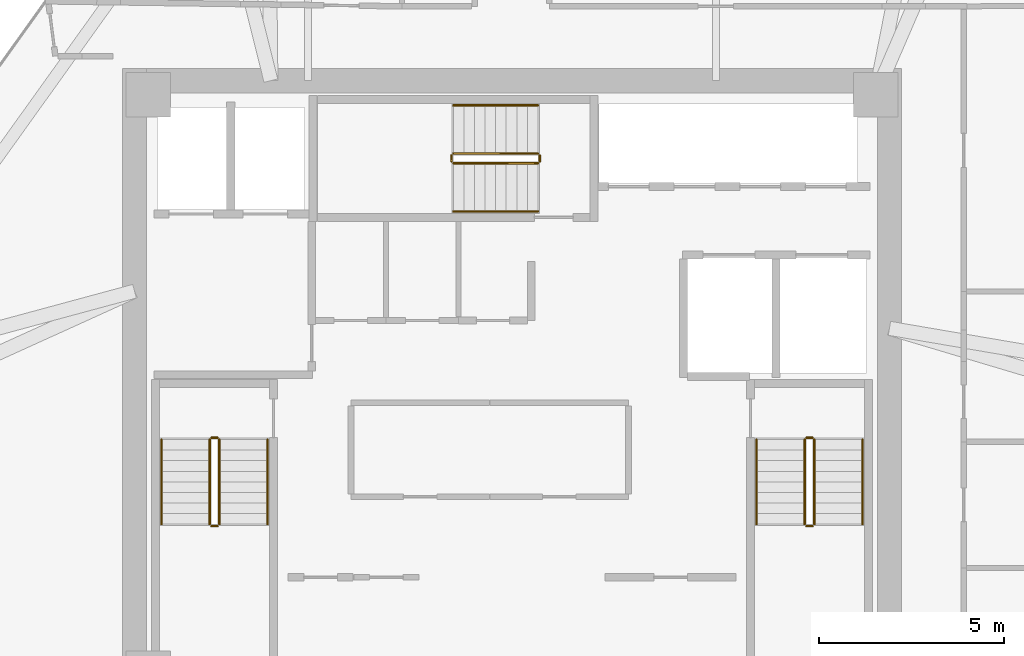
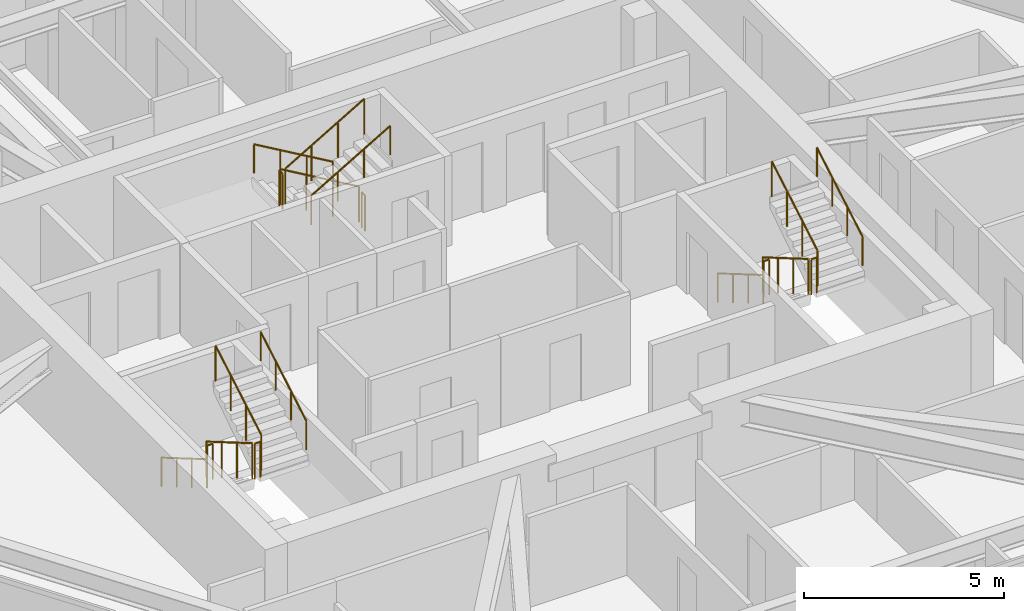
# One storey, part 12 of 12: 18 railings.
"""IFC4 building model written with IfcOpenShell, lengths in metres."""

from ifc_helpers import new_model, si_unit, direction, frame, origin, origin_2d, place, context, subcontext, project, spatial, circle, extrude, material, type_object, element, save


model = new_model("IFC4")

# Units and contexts
model_context = context("Model", 3, precision=1e-05, world=origin(), true_north=direction((0.0, 1.0)))
body_context = subcontext(model_context, "Body", "Model", "MODEL_VIEW")
ifc_project = project(units=[si_unit("LENGTHUNIT", "METRE"), si_unit("AREAUNIT", "SQUARE_METRE"), si_unit("VOLUMEUNIT", "CUBIC_METRE"), si_unit("PLANEANGLEUNIT", "RADIAN"), si_unit("MASSUNIT", "GRAM", prefix="KILO")], contexts=[model_context])

# Site, building, storey
site_placement = place(None, origin())
site = spatial("IfcSite", under=ifc_project, at=site_placement, CompositionType="ELEMENT")
building_placement = place(site_placement, origin())
building = spatial("IfcBuilding", under=site, at=building_placement, Name="Durnholm Broadcast Tower", CompositionType="ELEMENT")
storey_placement = place(building_placement, frame((0.0, 0.0, 203.199951171875)))
storey = spatial("IfcBuildingStorey", under=building, at=storey_placement, Name="L56", CompositionType="ELEMENT", Elevation=203.199951171875)

# Railings
ifc_material_1 = material(Name="Painted Tubular Steel Stair Guardrail", Category="steel")
railing_type_1 = type_object("IfcRailingType", Name="RAIL-ST-GRD", PredefinedType="GUARDRAIL", material=ifc_material_1)
railing_1_placement = place(storey_placement, frame((-8.14990234375, -1.5, 0.166748046875)))
element("IfcRailing", 1, at=railing_1_placement, inside=storey, type_object=railing_type_1, Name="L56 ST-1 stair guard 1", PredefinedType="GUARDRAIL", context=body_context, shape_type="SweptSolid", body=[
    extrude(circle(Radius=0.02392578125, at=origin_2d()), frame((0.0, 0.0, 1.076171875), z_axis=(0.0, -0.863245362884, 0.504784551527), x_axis=(1.0, 0.0, 0.0)), (0.0, 0.0, 1.0), 2.64111328125),
    extrude(circle(Radius=0.02099609375, at=origin_2d()), origin(), (0.0, 0.0, 1.0), 1.052001953125),
    extrude(circle(Radius=0.02099609375, at=origin_2d()), frame((0.0, -0.760009765625, 0.4443359375)), (0.0, 0.0, 1.0), 1.052001953125),
    extrude(circle(Radius=0.02099609375, at=origin_2d()), frame((0.0, -1.52001953125, 0.888916015625)), (0.0, 0.0, 1.0), 1.052001953125),
    extrude(circle(Radius=0.02099609375, at=origin_2d()), frame((0.0, -2.280029296875, 1.333251953125)), (0.0, 0.0, 1.0), 1.052001953125),
])
railing_2_placement = place(storey_placement, frame((-8.10009765625, -3.830078125, 1.5)))
element("IfcRailing", 2, at=railing_2_placement, inside=storey, type_object=railing_type_1, Name="L56 ST-1 stair guard 2", PredefinedType="GUARDRAIL", context=body_context, shape_type="SweptSolid", body=[
    extrude(circle(Radius=0.02392578125, at=origin_2d()), frame((0.0, 0.0, 1.076171875), z_axis=(1.0, 0.0, 0.0), x_axis=(0.0, 1.0, 0.0)), (0.0, 0.0, 1.0), 0.16015625),
    extrude(circle(Radius=0.02099609375, at=origin_2d()), origin(), (0.0, 0.0, 1.0), 1.052001953125),
    extrude(circle(Radius=0.02099609375, at=origin_2d()), frame((0.16015625, 0.0, 0.0)), (0.0, 0.0, 1.0), 1.052001953125),
])
railing_3_placement = place(storey_placement, frame((-7.889892578125, -3.780029296875, 1.666748046875)))
element("IfcRailing", 3, at=railing_3_placement, inside=storey, type_object=railing_type_1, Name="L56 ST-1 stair guard 3", PredefinedType="GUARDRAIL", context=body_context, shape_type="SweptSolid", body=[
    extrude(circle(Radius=0.02392578125, at=origin_2d()), frame((0.0, 0.0, 1.076171875), z_axis=(0.0, 0.863245362884, 0.504784551527), x_axis=(-1.0, 0.0, 0.0)), (0.0, 0.0, 1.0), 2.64111328125),
    extrude(circle(Radius=0.02099609375, at=origin_2d()), origin(), (0.0, 0.0, 1.0), 1.052001953125),
    extrude(circle(Radius=0.02099609375, at=origin_2d()), frame((0.0, 0.760009765625, 0.4443359375)), (0.0, 0.0, 1.0), 1.052001953125),
    extrude(circle(Radius=0.02099609375, at=origin_2d()), frame((0.0, 1.52001953125, 0.888916015625)), (0.0, 0.0, 1.0), 1.052001953125),
    extrude(circle(Radius=0.02099609375, at=origin_2d()), frame((0.0, 2.280029296875, 1.333251953125)), (0.0, 0.0, 1.0), 1.052001953125),
])
railing_4_placement = place(storey_placement, frame((-8.10009765625, -1.449951171875, 0.0)))
element("IfcRailing", 4, at=railing_4_placement, inside=storey, type_object=railing_type_1, Name="L56 ST-1 stair guard 4", PredefinedType="GUARDRAIL", context=body_context, shape_type="SweptSolid", body=[
    extrude(circle(Radius=0.02392578125, at=origin_2d()), frame((0.0, 0.0, 1.076171875), z_axis=(1.0, 0.0, 0.0), x_axis=(0.0, 1.0, 0.0)), (0.0, 0.0, 1.0), 0.16015625),
    extrude(circle(Radius=0.02099609375, at=origin_2d()), origin(), (0.0, 0.0, 1.0), 1.052001953125),
    extrude(circle(Radius=0.02099609375, at=origin_2d()), frame((0.16015625, 0.0, 0.0)), (0.0, 0.0, 1.0), 1.052001953125),
])
railing_5_placement = place(storey_placement, frame((7.889892578125, -1.5, 0.166748046875)))
element("IfcRailing", 5, at=railing_5_placement, inside=storey, type_object=railing_type_1, Name="L56 ST-2 stair guard 1", PredefinedType="GUARDRAIL", context=body_context, shape_type="SweptSolid", body=[
    extrude(circle(Radius=0.02392578125, at=origin_2d()), frame((0.0, 0.0, 1.076171875), z_axis=(0.0, -0.863245362884, 0.504784551527), x_axis=(1.0, 0.0, 0.0)), (0.0, 0.0, 1.0), 2.64111328125),
    extrude(circle(Radius=0.02099609375, at=origin_2d()), origin(), (0.0, 0.0, 1.0), 1.052001953125),
    extrude(circle(Radius=0.02099609375, at=origin_2d()), frame((0.0, -0.760009765625, 0.4443359375)), (0.0, 0.0, 1.0), 1.052001953125),
    extrude(circle(Radius=0.02099609375, at=origin_2d()), frame((0.0, -1.52001953125, 0.888916015625)), (0.0, 0.0, 1.0), 1.052001953125),
    extrude(circle(Radius=0.02099609375, at=origin_2d()), frame((0.0, -2.280029296875, 1.333251953125)), (0.0, 0.0, 1.0), 1.052001953125),
])
railing_6_placement = place(storey_placement, frame((7.93994140625, -3.830078125, 1.5)))
element("IfcRailing", 6, at=railing_6_placement, inside=storey, type_object=railing_type_1, Name="L56 ST-2 stair guard 2", PredefinedType="GUARDRAIL", context=body_context, shape_type="SweptSolid", body=[
    extrude(circle(Radius=0.02392578125, at=origin_2d()), frame((0.0, 0.0, 1.076171875), z_axis=(1.0, 0.0, 0.0), x_axis=(0.0, 1.0, 0.0)), (0.0, 0.0, 1.0), 0.16015625),
    extrude(circle(Radius=0.02099609375, at=origin_2d()), origin(), (0.0, 0.0, 1.0), 1.052001953125),
    extrude(circle(Radius=0.02099609375, at=origin_2d()), frame((0.16015625, 0.0, 0.0)), (0.0, 0.0, 1.0), 1.052001953125),
])
railing_7_placement = place(storey_placement, frame((8.14990234375, -3.780029296875, 1.666748046875)))
element("IfcRailing", 7, at=railing_7_placement, inside=storey, type_object=railing_type_1, Name="L56 ST-2 stair guard 3", PredefinedType="GUARDRAIL", context=body_context, shape_type="SweptSolid", body=[
    extrude(circle(Radius=0.02392578125, at=origin_2d()), frame((0.0, 0.0, 1.076171875), z_axis=(0.0, 0.863245362884, 0.504784551527), x_axis=(-1.0, 0.0, 0.0)), (0.0, 0.0, 1.0), 2.64111328125),
    extrude(circle(Radius=0.02099609375, at=origin_2d()), origin(), (0.0, 0.0, 1.0), 1.052001953125),
    extrude(circle(Radius=0.02099609375, at=origin_2d()), frame((0.0, 0.760009765625, 0.4443359375)), (0.0, 0.0, 1.0), 1.052001953125),
    extrude(circle(Radius=0.02099609375, at=origin_2d()), frame((0.0, 1.52001953125, 0.888916015625)), (0.0, 0.0, 1.0), 1.052001953125),
    extrude(circle(Radius=0.02099609375, at=origin_2d()), frame((0.0, 2.280029296875, 1.333251953125)), (0.0, 0.0, 1.0), 1.052001953125),
])
railing_8_placement = place(storey_placement, frame((7.93994140625, -1.449951171875, 0.0)))
element("IfcRailing", 8, at=railing_8_placement, inside=storey, type_object=railing_type_1, Name="L56 ST-2 stair guard 4", PredefinedType="GUARDRAIL", context=body_context, shape_type="SweptSolid", body=[
    extrude(circle(Radius=0.02392578125, at=origin_2d()), frame((0.0, 0.0, 1.076171875), z_axis=(1.0, 0.0, 0.0), x_axis=(0.0, 1.0, 0.0)), (0.0, 0.0, 1.0), 0.16015625),
    extrude(circle(Radius=0.02099609375, at=origin_2d()), origin(), (0.0, 0.0, 1.0), 1.052001953125),
    extrude(circle(Radius=0.02099609375, at=origin_2d()), frame((0.16015625, 0.0, 0.0)), (0.0, 0.0, 1.0), 1.052001953125),
])
railing_9_placement = place(storey_placement, frame((0.699951171875, 6.2099609375, 0.166748046875)))
element("IfcRailing", 9, at=railing_9_placement, inside=storey, type_object=railing_type_1, Name="L56 ST-3 stair guard 1", PredefinedType="GUARDRAIL", context=body_context, shape_type="SweptSolid", body=[
    extrude(circle(Radius=0.02392578125, at=origin_2d()), frame((0.0, 0.0, 1.076171875), z_axis=(-0.863245362884, 0.0, 0.504784551527), x_axis=(0.0, -1.0, 0.0)), (0.0, 0.0, 1.0), 2.64111328125),
    extrude(circle(Radius=0.02099609375, at=origin_2d()), origin(), (0.0, 0.0, 1.0), 1.052001953125),
    extrude(circle(Radius=0.02099609375, at=origin_2d()), frame((-0.760009765625, 0.0, 0.4443359375)), (0.0, 0.0, 1.0), 1.052001953125),
    extrude(circle(Radius=0.02099609375, at=origin_2d()), frame((-1.52001953125, 0.0, 0.888916015625)), (0.0, 0.0, 1.0), 1.052001953125),
    extrude(circle(Radius=0.02099609375, at=origin_2d()), frame((-2.280029296875, 0.0, 1.333251953125)), (0.0, 0.0, 1.0), 1.052001953125),
])
railing_10_placement = place(storey_placement, frame((-1.6298828125, 6.159912109375, 1.5)))
element("IfcRailing", 10, at=railing_10_placement, inside=storey, type_object=railing_type_1, Name="L56 ST-3 stair guard 2", PredefinedType="GUARDRAIL", context=body_context, shape_type="SweptSolid", body=[
    extrude(circle(Radius=0.02392578125, at=origin_2d()), frame((0.0, 0.0, 1.076171875), z_axis=(0.0, -1.0, 0.0), x_axis=(1.0, 0.0, 0.0)), (0.0, 0.0, 1.0), 0.159912109375),
    extrude(circle(Radius=0.02099609375, at=origin_2d()), origin(), (0.0, 0.0, 1.0), 1.052001953125),
    extrude(circle(Radius=0.02099609375, at=origin_2d()), frame((0.0, -0.159912109375, 0.0)), (0.0, 0.0, 1.0), 1.052001953125),
])
railing_11_placement = place(storey_placement, frame((-1.580078125, 5.949951171875, 1.666748046875)))
element("IfcRailing", 11, at=railing_11_placement, inside=storey, type_object=railing_type_1, Name="L56 ST-3 stair guard 3", PredefinedType="GUARDRAIL", context=body_context, shape_type="SweptSolid", body=[
    extrude(circle(Radius=0.02392578125, at=origin_2d()), frame((0.0, 0.0, 1.076171875), z_axis=(0.863245362884, 0.0, 0.504784551527), x_axis=(0.0, 1.0, 0.0)), (0.0, 0.0, 1.0), 2.64111328125),
    extrude(circle(Radius=0.02099609375, at=origin_2d()), origin(), (0.0, 0.0, 1.0), 1.052001953125),
    extrude(circle(Radius=0.02099609375, at=origin_2d()), frame((0.760009765625, 0.0, 0.4443359375)), (0.0, 0.0, 1.0), 1.052001953125),
    extrude(circle(Radius=0.02099609375, at=origin_2d()), frame((1.52001953125, 0.0, 0.888916015625)), (0.0, 0.0, 1.0), 1.052001953125),
    extrude(circle(Radius=0.02099609375, at=origin_2d()), frame((2.280029296875, 0.0, 1.333251953125)), (0.0, 0.0, 1.0), 1.052001953125),
])
railing_12_placement = place(storey_placement, frame((0.75, 6.159912109375, 0.0)))
element("IfcRailing", 12, at=railing_12_placement, inside=storey, type_object=railing_type_1, Name="L56 ST-3 stair guard 4", PredefinedType="GUARDRAIL", context=body_context, shape_type="SweptSolid", body=[
    extrude(circle(Radius=0.02392578125, at=origin_2d()), frame((0.0, 0.0, 1.076171875), z_axis=(0.0, -1.0, 0.0), x_axis=(1.0, 0.0, 0.0)), (0.0, 0.0, 1.0), 0.159912109375),
    extrude(circle(Radius=0.02099609375, at=origin_2d()), origin(), (0.0, 0.0, 1.0), 1.052001953125),
    extrude(circle(Radius=0.02099609375, at=origin_2d()), frame((0.0, -0.159912109375, 0.0)), (0.0, 0.0, 1.0), 1.052001953125),
])
ifc_material_2 = material(Name="Brushed Stainless Steel Handrail", Category="steel")
railing_type_2 = type_object("IfcRailingType", Name="RAIL-ST-HND", PredefinedType="HANDRAIL", material=ifc_material_2)
railing_13_placement = place(storey_placement, frame((-9.449951171875, -1.5, 0.33349609375)))
element("IfcRailing", 13, at=railing_13_placement, inside=storey, type_object=railing_type_2, Name="L56 ST-1 stair handrail 1", PredefinedType="HANDRAIL", context=body_context, shape_type="SweptSolid", body=[
    extrude(circle(Radius=0.02392578125, at=origin_2d()), frame((0.0, 0.0, 0.8759765625), z_axis=(0.0, -0.863245362884, 0.504784551527), x_axis=(1.0, 0.0, 0.0)), (0.0, 0.0, 1.0), 2.64111328125),
    extrude(circle(Radius=0.02099609375, at=origin_2d()), origin(), (0.0, 0.0, 1.0), 0.851806640625),
    extrude(circle(Radius=0.02099609375, at=origin_2d()), frame((0.0, -0.760009765625, 0.4443359375)), (0.0, 0.0, 1.0), 0.851806640625),
    extrude(circle(Radius=0.02099609375, at=origin_2d()), frame((0.0, -1.52001953125, 0.888916015625)), (0.0, 0.0, 1.0), 0.851806640625),
    extrude(circle(Radius=0.02099609375, at=origin_2d()), frame((0.0, -2.280029296875, 1.333251953125)), (0.0, 0.0, 1.0), 0.851806640625),
])
railing_14_placement = place(storey_placement, frame((-6.590087890625, -3.780029296875, 1.83349609375)))
element("IfcRailing", 14, at=railing_14_placement, inside=storey, type_object=railing_type_2, Name="L56 ST-1 stair handrail 2", PredefinedType="HANDRAIL", context=body_context, shape_type="SweptSolid", body=[
    extrude(circle(Radius=0.02392578125, at=origin_2d()), frame((0.0, 0.0, 0.8759765625), z_axis=(0.0, 0.863245362884, 0.504784551527), x_axis=(-1.0, 0.0, 0.0)), (0.0, 0.0, 1.0), 2.64111328125),
    extrude(circle(Radius=0.02099609375, at=origin_2d()), origin(), (0.0, 0.0, 1.0), 0.851806640625),
    extrude(circle(Radius=0.02099609375, at=origin_2d()), frame((0.0, 0.760009765625, 0.4443359375)), (0.0, 0.0, 1.0), 0.851806640625),
    extrude(circle(Radius=0.02099609375, at=origin_2d()), frame((0.0, 1.52001953125, 0.888916015625)), (0.0, 0.0, 1.0), 0.851806640625),
    extrude(circle(Radius=0.02099609375, at=origin_2d()), frame((0.0, 2.280029296875, 1.333251953125)), (0.0, 0.0, 1.0), 0.851806640625),
])
railing_15_placement = place(storey_placement, frame((6.590087890625, -1.5, 0.33349609375)))
element("IfcRailing", 15, at=railing_15_placement, inside=storey, type_object=railing_type_2, Name="L56 ST-2 stair handrail 1", PredefinedType="HANDRAIL", context=body_context, shape_type="SweptSolid", body=[
    extrude(circle(Radius=0.02392578125, at=origin_2d()), frame((0.0, 0.0, 0.8759765625), z_axis=(0.0, -0.863245362884, 0.504784551527), x_axis=(1.0, 0.0, 0.0)), (0.0, 0.0, 1.0), 2.64111328125),
    extrude(circle(Radius=0.02099609375, at=origin_2d()), origin(), (0.0, 0.0, 1.0), 0.851806640625),
    extrude(circle(Radius=0.02099609375, at=origin_2d()), frame((0.0, -0.760009765625, 0.4443359375)), (0.0, 0.0, 1.0), 0.851806640625),
    extrude(circle(Radius=0.02099609375, at=origin_2d()), frame((0.0, -1.52001953125, 0.888916015625)), (0.0, 0.0, 1.0), 0.851806640625),
    extrude(circle(Radius=0.02099609375, at=origin_2d()), frame((0.0, -2.280029296875, 1.333251953125)), (0.0, 0.0, 1.0), 0.851806640625),
])
railing_16_placement = place(storey_placement, frame((9.449951171875, -3.780029296875, 1.83349609375)))
element("IfcRailing", 16, at=railing_16_placement, inside=storey, type_object=railing_type_2, Name="L56 ST-2 stair handrail 2", PredefinedType="HANDRAIL", context=body_context, shape_type="SweptSolid", body=[
    extrude(circle(Radius=0.02392578125, at=origin_2d()), frame((0.0, 0.0, 0.8759765625), z_axis=(0.0, 0.863245362884, 0.504784551527), x_axis=(-1.0, 0.0, 0.0)), (0.0, 0.0, 1.0), 2.64111328125),
    extrude(circle(Radius=0.02099609375, at=origin_2d()), origin(), (0.0, 0.0, 1.0), 0.851806640625),
    extrude(circle(Radius=0.02099609375, at=origin_2d()), frame((0.0, 0.760009765625, 0.4443359375)), (0.0, 0.0, 1.0), 0.851806640625),
    extrude(circle(Radius=0.02099609375, at=origin_2d()), frame((0.0, 1.52001953125, 0.888916015625)), (0.0, 0.0, 1.0), 0.851806640625),
    extrude(circle(Radius=0.02099609375, at=origin_2d()), frame((0.0, 2.280029296875, 1.333251953125)), (0.0, 0.0, 1.0), 0.851806640625),
])
railing_17_placement = place(storey_placement, frame((0.699951171875, 7.510009765625, 0.33349609375)))
element("IfcRailing", 17, at=railing_17_placement, inside=storey, type_object=railing_type_2, Name="L56 ST-3 stair handrail 1", PredefinedType="HANDRAIL", context=body_context, shape_type="SweptSolid", body=[
    extrude(circle(Radius=0.02392578125, at=origin_2d()), frame((0.0, 0.0, 0.8759765625), z_axis=(-0.863245362884, 0.0, 0.504784551527), x_axis=(0.0, -1.0, 0.0)), (0.0, 0.0, 1.0), 2.64111328125),
    extrude(circle(Radius=0.02099609375, at=origin_2d()), origin(), (0.0, 0.0, 1.0), 0.851806640625),
    extrude(circle(Radius=0.02099609375, at=origin_2d()), frame((-0.760009765625, 0.0, 0.4443359375)), (0.0, 0.0, 1.0), 0.851806640625),
    extrude(circle(Radius=0.02099609375, at=origin_2d()), frame((-1.52001953125, 0.0, 0.888916015625)), (0.0, 0.0, 1.0), 0.851806640625),
    extrude(circle(Radius=0.02099609375, at=origin_2d()), frame((-2.280029296875, 0.0, 1.333251953125)), (0.0, 0.0, 1.0), 0.851806640625),
])
railing_18_placement = place(storey_placement, frame((-1.580078125, 4.64990234375, 1.83349609375)))
element("IfcRailing", 18, at=railing_18_placement, inside=storey, type_object=railing_type_2, Name="L56 ST-3 stair handrail 2", PredefinedType="HANDRAIL", context=body_context, shape_type="SweptSolid", body=[
    extrude(circle(Radius=0.02392578125, at=origin_2d()), frame((0.0, 0.0, 0.8759765625), z_axis=(0.863245362884, 0.0, 0.504784551527), x_axis=(0.0, 1.0, 0.0)), (0.0, 0.0, 1.0), 2.64111328125),
    extrude(circle(Radius=0.02099609375, at=origin_2d()), origin(), (0.0, 0.0, 1.0), 0.851806640625),
    extrude(circle(Radius=0.02099609375, at=origin_2d()), frame((0.760009765625, 0.0, 0.4443359375)), (0.0, 0.0, 1.0), 0.851806640625),
    extrude(circle(Radius=0.02099609375, at=origin_2d()), frame((1.52001953125, 0.0, 0.888916015625)), (0.0, 0.0, 1.0), 0.851806640625),
    extrude(circle(Radius=0.02099609375, at=origin_2d()), frame((2.280029296875, 0.0, 1.333251953125)), (0.0, 0.0, 1.0), 0.851806640625),
])

save(model, "model.ifc")
